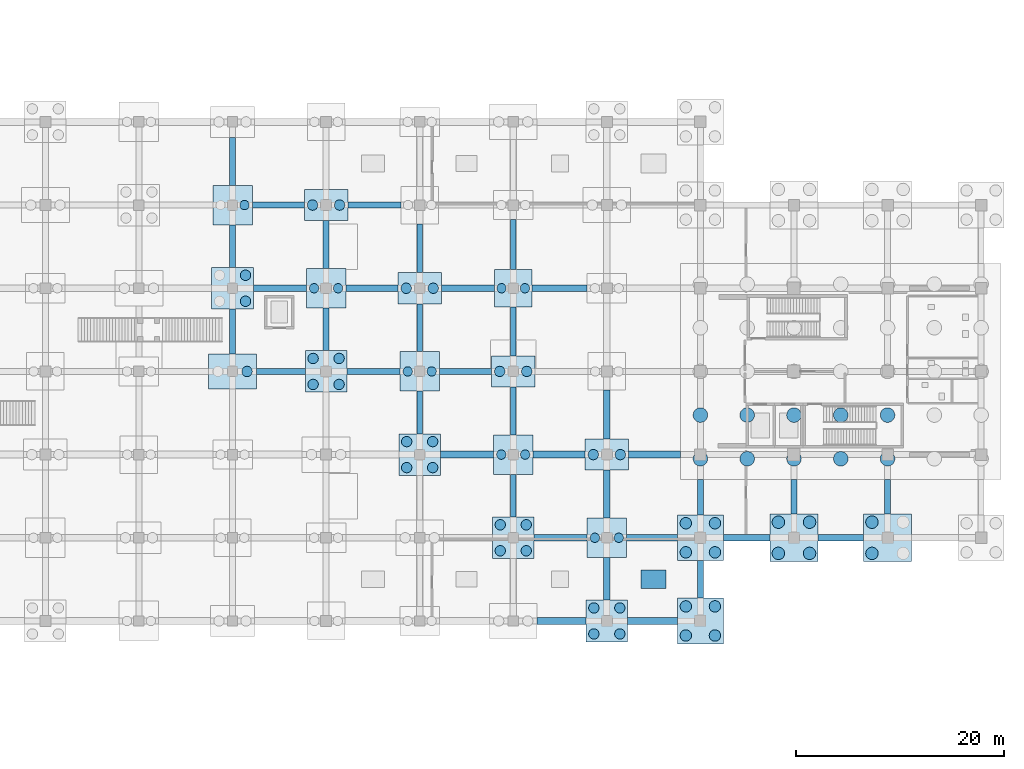
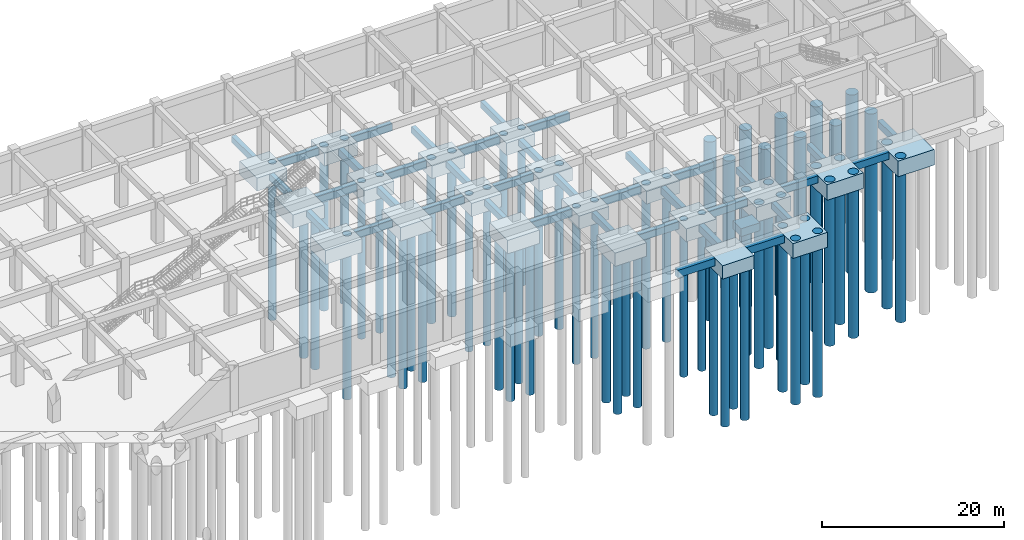
# One storey, part 4 of 18: 62 piles, 58 footings.
"""IFC4 building model written with IfcOpenShell, lengths in metres."""

import ifcopenshell
import ifcopenshell.guid

model = None  # the IFC model being written
_history = None  # IfcOwnerHistory: only IFC2X3 demands one
_inside = {}  # id of a spatial element -> (the spatial element, [elements in it])
_under = {}  # id of a project, library or spatial element -> (it, [spatial elements below it])
_declared = {}  # id of a project -> (the project, [libraries it declares])
_typed = {}  # id of a type object -> (the type object, [elements of that type])
_made_of = {}  # id of a material, layer set ... -> (it, [elements and type objects made of it])


def new_model(schema):
    """Start an empty IFC model of exactly this schema.

    Asked for "IFC4X3", IfcOpenShell would pick the latest addendum, in which some entities
    have other attributes; the version numbers below select the first issue.
    IFC2X3 requires an IfcOwnerHistory on every rooted entity: one is made here for all.
    """
    global model, _history
    if schema == "IFC4X3":
        model = ifcopenshell.file(schema_version=(4, 3, 0, 0))
    else:
        model = ifcopenshell.file(schema=schema)
    _inside.clear()
    _under.clear()
    _declared.clear()
    _typed.clear()
    _made_of.clear()
    _history = None
    if model.schema == "IFC2X3":
        org = make("IfcOrganization", Name="unknown")
        user = make(
            "IfcPersonAndOrganization",
            ThePerson=make("IfcPerson", FamilyName="unknown"),
            TheOrganization=org,
        )
        app = make(
            "IfcApplication",
            ApplicationDeveloper=org,
            Version="unknown",
            ApplicationFullName="unknown",
            ApplicationIdentifier="unknown",
        )
        _history = make(
            "IfcOwnerHistory",
            OwningUser=user,
            OwningApplication=app,
            ChangeAction="ADDED",
            CreationDate=0,
        )
    return model


def make(cls, **values):
    """One entity of the class cls with the attributes given. An attribute that is None is left unset."""
    return model.create_entity(
        cls, **{name: value for name, value in values.items() if value is not None}
    )


def rooted(cls, **values):
    """An entity with a GlobalId (a new one), such as an element, a storey or a relation."""
    return make(cls, GlobalId=ifcopenshell.guid.new(), OwnerHistory=_history, **values)


def si_unit(unit_type, name, prefix=None):
    """IfcSIUnit, for example si_unit("LENGTHUNIT", "METRE", prefix="MILLI")."""
    return make("IfcSIUnit", UnitType=unit_type, Prefix=prefix, Name=name)


def derived_unit(unit_type, elements):
    """IfcDerivedUnit: a product of units, each with its exponent."""
    return make(
        "IfcDerivedUnit",
        Elements=[
            make("IfcDerivedUnitElement", Unit=unit, Exponent=power)
            for unit, power in elements
        ],
        UnitType=unit_type,
    )


def assignment(units):
    """IfcUnitAssignment: the units of a project."""
    return None if units is None else make("IfcUnitAssignment", Units=units)


def point(xyz):
    """IfcCartesianPoint."""
    return None if xyz is None else make("IfcCartesianPoint", Coordinates=xyz)


def direction(xyz):
    """IfcDirection."""
    return None if xyz is None else make("IfcDirection", DirectionRatios=xyz)


def frame(location, z_axis=None, x_axis=None):
    """IfcAxis2Placement3D, a coordinate frame: its origin and axes. An axis left out is left unset."""
    return make(
        "IfcAxis2Placement3D",
        Location=point(location),
        Axis=direction(z_axis),
        RefDirection=direction(x_axis),
    )


def frame_2d(location, x_axis=None):
    """IfcAxis2Placement2D, a coordinate frame in the plane: its origin and x axis."""
    return make(
        "IfcAxis2Placement2D", Location=point(location), RefDirection=direction(x_axis)
    )


def origin():
    """The frame at (0, 0, 0) with its axes left unset."""
    return frame((0.0, 0.0, 0.0))


def origin_2d():
    """The frame at (0, 0) in the plane with its x axis left unset."""
    return frame_2d((0.0, 0.0))


def place(relative_to, where):
    """IfcLocalPlacement: puts the frame where relative to a parent placement (None: the world)."""
    return make(
        "IfcLocalPlacement", PlacementRelTo=relative_to, RelativePlacement=where
    )


def context(
    kind, dimensions, precision=None, world=None, true_north=None, identifier=None
):
    """IfcGeometricRepresentationContext, for example the 3D "Model" context."""
    return make(
        "IfcGeometricRepresentationContext",
        ContextIdentifier=identifier,
        ContextType=kind,
        CoordinateSpaceDimension=dimensions,
        Precision=precision,
        WorldCoordinateSystem=world,
        TrueNorth=true_north,
    )


def subcontext(parent, identifier, kind, view, scale=None):
    """IfcGeometricRepresentationSubContext, for example "Body" below "Model"."""
    return make(
        "IfcGeometricRepresentationSubContext",
        ContextIdentifier=identifier,
        ContextType=kind,
        ParentContext=parent,
        TargetScale=scale,
        TargetView=view,
    )


def project(units=None, contexts=None):
    """IfcProject with its units and contexts."""
    return rooted(
        "IfcProject",
        Name="project",
        RepresentationContexts=contexts,
        UnitsInContext=assignment(units),
    )


def spatial(cls, under=None, at=None, **own):
    """A site, building, storey or space (cls), placed at a placement, below another one or the project."""
    s = rooted(cls, ObjectPlacement=at, **own)
    if under is not None:
        _under.setdefault(under.id(), (under, []))[1].append(s)
    return s


def profile(cls, at=None, kind="AREA", **sizes):
    """A parametric profile (cls). Its sizes go by their IFC names, for example OverallWidth=200.0."""
    return make(cls, ProfileType=kind, Position=at, **sizes)


def rectangle(**sizes):
    """IfcRectangleProfileDef."""
    return profile("IfcRectangleProfileDef", **sizes)


def circle(**sizes):
    """IfcCircleProfileDef."""
    return profile("IfcCircleProfileDef", **sizes)


def extrude(swept, where, along, depth):
    """IfcExtrudedAreaSolid: the profile swept, set in the frame where, extruded along a direction by depth."""
    return make(
        "IfcExtrudedAreaSolid",
        SweptArea=swept,
        Position=where,
        ExtrudedDirection=direction(along),
        Depth=depth,
    )


def shape(context_of_items, identifier, shape_type, items):
    """IfcShapeRepresentation: the items that make up one representation, for example the "Body"."""
    return make(
        "IfcShapeRepresentation",
        ContextOfItems=context_of_items,
        RepresentationIdentifier=identifier,
        RepresentationType=shape_type,
        Items=items,
    )


def material(Name=None, Category=None):
    """IfcMaterial."""
    return make("IfcMaterial", Name=Name, Category=Category)


def material_profile(
    of_material, cross_section, Name=None, Category=None, Priority=None
):
    """IfcMaterialProfile: a cross section and its material."""
    return make(
        "IfcMaterialProfile",
        Name=Name,
        Material=of_material,
        Profile=cross_section,
        Priority=Priority,
        Category=Category,
    )


def profile_set(profiles, Name=None, composite=None):
    """IfcMaterialProfileSet."""
    return make(
        "IfcMaterialProfileSet",
        Name=Name,
        MaterialProfiles=profiles,
        CompositeProfile=composite,
    )


def made_of(thing, what):
    """Note that an element or type object is made of a material, layer set ...; save() writes the relation."""
    if what is not None:
        _made_of.setdefault(what.id(), (what, []))[1].append(thing)
    return thing


def type_object(cls, material=None, **own):
    """A type object (cls), such as IfcWallType, which elements share."""
    return made_of(rooted(cls, **own), material)


def element(
    cls,
    number,
    at=None,
    inside=None,
    cuts=None,
    type_object=None,
    material=None,
    context=None,
    identifier="Body",
    shape_type=None,
    held_by="IfcProductDefinitionShape",
    body=None,
    shapes=None,
    **own,
):
    """One element of the class cls, such as IfcWall. Its Tag is "e" and its number.

    at: its placement. inside: the storey or other place that contains it. cuts: it is an
    opening in that element (IfcRelVoidsElement). A single representation is given by context,
    identifier, shape_type and body (its items); several are given by shapes. held_by: the class
    of the entity that holds the representations. save() writes the other relations.
    """
    e = rooted(cls, Tag="e%d" % number, ObjectPlacement=at, **own)
    if body is not None:
        shapes = [shape(context, identifier, shape_type, body)]
    if shapes is not None:
        e.Representation = make(held_by, Representations=shapes)
    if inside is not None:
        _inside.setdefault(inside.id(), (inside, []))[1].append(e)
    if cuts is not None:
        rooted(
            "IfcRelVoidsElement", RelatingBuildingElement=cuts, RelatedOpeningElement=e
        )
    if type_object is not None:
        _typed.setdefault(type_object.id(), (type_object, []))[1].append(e)
    return made_of(e, material)


def aggregate(whole, parts):
    """IfcRelAggregates: a whole, such as a stair, and the parts it consists of."""
    return rooted("IfcRelAggregates", RelatingObject=whole, RelatedObjects=parts)


def save(model, path):
    """Write the relations noted so far, then the file.

    IfcRelAggregates (storeys below a building ...), IfcRelContainedInSpatialStructure (elements
    in a storey), IfcRelDefinesByType, IfcRelAssociatesMaterial and IfcRelDeclares: one each for
    every whole, place, type object, material and project.
    """
    for whole, parts in _under.values():
        aggregate(whole, parts)
    for where, things in _inside.values():
        rooted(
            "IfcRelContainedInSpatialStructure",
            RelatedElements=things,
            RelatingStructure=where,
        )
    for kind, things in _typed.values():
        rooted("IfcRelDefinesByType", RelatedObjects=things, RelatingType=kind)
    for what, things in _made_of.values():
        rooted("IfcRelAssociatesMaterial", RelatedObjects=things, RelatingMaterial=what)
    for by, libraries in _declared.values():
        rooted("IfcRelDeclares", RelatingContext=by, RelatedDefinitions=libraries)
    model.write(path)


model = new_model("IFC4")

# Units and contexts
model_context = context("Model", 3, precision=1e-05, world=origin(), true_north=direction((0.0, 1.0)))
body_context = subcontext(model_context, "Body", "Model", "MODEL_VIEW")
ifc_project = project(units=[si_unit("LENGTHUNIT", "METRE"), si_unit("AREAUNIT", "SQUARE_METRE"), si_unit("VOLUMEUNIT", "CUBIC_METRE"), si_unit("PLANEANGLEUNIT", "RADIAN"), si_unit("MASSUNIT", "GRAM", prefix="KILO"), derived_unit("THERMALTRANSMITTANCEUNIT", [(si_unit("MASSUNIT", "GRAM", prefix="KILO"), 1), (si_unit("TIMEUNIT", "SECOND"), -3), (si_unit("THERMODYNAMICTEMPERATUREUNIT", "KELVIN"), -1)])], contexts=[model_context])

# Site, building, storey
site_placement = place(None, origin())
site = spatial("IfcSite", under=ifc_project, at=site_placement, CompositionType="ELEMENT")
building_placement = place(site_placement, origin())
building = spatial("IfcBuilding", under=site, at=building_placement, Name="Zhenchuan Archway Interchange", CompositionType="ELEMENT")
storey_placement = place(building_placement, frame((0.0, 0.0, -12.0)))
storey = spatial("IfcBuildingStorey", under=building, at=storey_placement, Name="B2", CompositionType="ELEMENT", Elevation=-12.0)

# Footings
ifc_material_1 = material(Name="Concrete C40", Category="concrete")
ifc_material_profile_1 = material_profile(ifc_material_1, rectangle(XDim=0.64990234375, YDim=1.0, at=origin_2d()), Name="RC 650x1000")
ifc_profile_set_1 = profile_set([ifc_material_profile_1], Name="Concrete C40")
footing_type_1 = type_object("IfcFootingType", Name="FB_GROUND_1", PredefinedType="FOOTING_BEAM", material=ifc_profile_set_1)
footing_1_placement = place(storey_placement, frame((128.300048828125, 32.0, -1.5), z_axis=(1.0, 0.0, 0.0), x_axis=(0.0, 1.0, 0.0)))
element("IfcFooting", 1, at=footing_1_placement, inside=storey, type_object=footing_type_1, Name="Ground tie beam E:15-16 (B2)", PredefinedType="FOOTING_BEAM", context=body_context, shape_type="SweptSolid", body=[
    extrude(rectangle(XDim=0.64990234375, YDim=1.0, at=origin_2d()), origin(), (0.0, 0.0, 1.0), 4.699951171875),
])
footing_2_placement = place(storey_placement, frame((137.0, 32.0, -1.5), z_axis=(1.0, 0.0, 0.0), x_axis=(0.0, 1.0, 0.0)))
element("IfcFooting", 2, at=footing_2_placement, inside=storey, type_object=footing_type_1, Name="Ground tie beam E:16-17 (B2)", PredefinedType="FOOTING_BEAM", context=body_context, shape_type="SweptSolid", body=[
    extrude(rectangle(XDim=0.64990234375, YDim=1.0, at=origin_2d()), origin(), (0.0, 0.0, 1.0), 4.800048828125),
])
footing_3_placement = place(storey_placement, frame((119.0, 48.0, -1.5), z_axis=(1.0, 0.0, 0.0), x_axis=(0.0, 1.0, 0.0)))
element("IfcFooting", 3, at=footing_3_placement, inside=storey, type_object=footing_type_1, Name="Ground tie beam G:14-15 (B2)", PredefinedType="FOOTING_BEAM", context=body_context, shape_type="SweptSolid", body=[
    extrude(rectangle(XDim=0.64990234375, YDim=1.0, at=origin_2d()), origin(), (0.0, 0.0, 1.0), 5.10009765625),
])
for number, where, z_axis, x_axis, name in (
    (4, (127.89990234375, 48.0, -1.5), (1.0, 0.0, 0.0), (0.0, 1.0, 0.0), "Ground tie beam G:15-16 (B2)"),
    (5, (137.10009765625, 48.0, -1.5), (1.0, 0.0, 0.0), (0.0, 1.0, 0.0), "Ground tie beam G:16-17 (B2)"),
):
    element("IfcFooting", number, at=place(storey_placement, frame(where, z_axis=z_axis, x_axis=x_axis)), inside=storey, type_object=footing_type_1, Name=name, PredefinedType="FOOTING_BEAM", context=body_context, shape_type="SweptSolid", body=[
        extrude(rectangle(XDim=0.64990234375, YDim=1.0, at=origin_2d()), origin(), (0.0, 0.0, 1.0), 5.0),
    ])
footing_4_placement = place(storey_placement, frame((101.0, 64.0, -1.5), z_axis=(1.0, 0.0, 0.0), x_axis=(0.0, 1.0, 0.0)))
element("IfcFooting", 6, at=footing_4_placement, inside=storey, type_object=footing_type_1, Name="Ground tie beam J:12-13 (B2)", PredefinedType="FOOTING_BEAM", context=body_context, shape_type="SweptSolid", body=[
    extrude(rectangle(XDim=0.64990234375, YDim=1.0, at=origin_2d()), origin(), (0.0, 0.0, 1.0), 5.10009765625),
])
footing_5_placement = place(storey_placement, frame((109.89990234375, 64.0, -1.5), z_axis=(1.0, 0.0, 0.0), x_axis=(0.0, 1.0, 0.0)))
element("IfcFooting", 7, at=footing_5_placement, inside=storey, type_object=footing_type_1, Name="Ground tie beam J:13-14 (B2)", PredefinedType="FOOTING_BEAM", context=body_context, shape_type="SweptSolid", body=[
    extrude(rectangle(XDim=0.64990234375, YDim=1.0, at=origin_2d()), origin(), (0.0, 0.0, 1.0), 5.0),
])
footing_6_placement = place(storey_placement, frame((119.10009765625, 64.0, -1.5), z_axis=(1.0, 0.0, 0.0), x_axis=(0.0, 1.0, 0.0)))
element("IfcFooting", 8, at=footing_6_placement, inside=storey, type_object=footing_type_1, Name="Ground tie beam J:14-15 (B2)", PredefinedType="FOOTING_BEAM", context=body_context, shape_type="SweptSolid", body=[
    extrude(rectangle(XDim=0.64990234375, YDim=1.0, at=origin_2d()), origin(), (0.0, 0.0, 1.0), 5.099853515625),
])
footing_7_placement = place(storey_placement, frame((127.800048828125, 64.0, -1.5), z_axis=(1.0, 0.0, 0.0), x_axis=(0.0, 1.0, 0.0)))
element("IfcFooting", 9, at=footing_7_placement, inside=storey, type_object=footing_type_1, Name="Ground tie beam J:15-16 (B2)", PredefinedType="FOOTING_BEAM", context=body_context, shape_type="SweptSolid", body=[
    extrude(rectangle(XDim=0.64990234375, YDim=1.0, at=origin_2d()), origin(), (0.0, 0.0, 1.0), 5.300048828125),
])
ifc_material_profile_2 = material_profile(ifc_material_1, rectangle(XDim=0.60009765625, YDim=0.949951171875, at=origin_2d()), Name="RC 600x950")
ifc_profile_set_2 = profile_set([ifc_material_profile_2], Name="Concrete C40")
footing_type_2 = type_object("IfcFootingType", Name="FB_GROUND_2", PredefinedType="FOOTING_BEAM", material=ifc_profile_set_2)
footing_8_placement = place(storey_placement, frame((128.0, 40.0, -1.47509765625), z_axis=(1.0, 0.0, 0.0), x_axis=(0.0, 1.0, 0.0)))
element("IfcFooting", 10, at=footing_8_placement, inside=storey, type_object=footing_type_2, Name="Ground tie beam F:15-16 (B2)", PredefinedType="FOOTING_BEAM", context=body_context, shape_type="SweptSolid", body=[
    extrude(rectangle(XDim=0.60009765625, YDim=0.949951171875, at=origin_2d()), origin(), (0.0, 0.0, 1.0), 5.10009765625),
])
footing_9_placement = place(storey_placement, frame((136.89990234375, 40.0, -1.47509765625), z_axis=(1.0, 0.0, 0.0), x_axis=(0.0, 1.0, 0.0)))
element("IfcFooting", 11, at=footing_9_placement, inside=storey, type_object=footing_type_2, Name="Ground tie beam F:16-17 (B2)", PredefinedType="FOOTING_BEAM", context=body_context, shape_type="SweptSolid", body=[
    extrude(rectangle(XDim=0.60009765625, YDim=0.949951171875, at=origin_2d()), origin(), (0.0, 0.0, 1.0), 4.900146484375),
])
footing_10_placement = place(storey_placement, frame((146.199951171875, 40.0, -1.47509765625), z_axis=(1.0, 0.0, 0.0), x_axis=(0.0, 1.0, 0.0)))
element("IfcFooting", 12, at=footing_10_placement, inside=storey, type_object=footing_type_2, Name="Ground tie beam F:17-18 (B2)", PredefinedType="FOOTING_BEAM", context=body_context, shape_type="SweptSolid", body=[
    extrude(rectangle(XDim=0.60009765625, YDim=0.949951171875, at=origin_2d()), origin(), (0.0, 0.0, 1.0), 4.5),
])
footing_11_placement = place(storey_placement, frame((155.300048828125, 40.0, -1.47509765625), z_axis=(1.0, 0.0, 0.0), x_axis=(0.0, 1.0, 0.0)))
element("IfcFooting", 13, at=footing_11_placement, inside=storey, type_object=footing_type_2, Name="Ground tie beam F:18-19 (B2)", PredefinedType="FOOTING_BEAM", context=body_context, shape_type="SweptSolid", body=[
    extrude(rectangle(XDim=0.60009765625, YDim=0.949951171875, at=origin_2d()), origin(), (0.0, 0.0, 1.0), 4.39990234375),
])
footing_12_placement = place(storey_placement, frame((101.300048828125, 56.0, -1.47509765625), z_axis=(1.0, 0.0, 0.0), x_axis=(0.0, 1.0, 0.0)))
element("IfcFooting", 14, at=footing_12_placement, inside=storey, type_object=footing_type_2, Name="Ground tie beam H:12-13 (B2)", PredefinedType="FOOTING_BEAM", context=body_context, shape_type="SweptSolid", body=[
    extrude(rectangle(XDim=0.60009765625, YDim=0.949951171875, at=origin_2d()), origin(), (0.0, 0.0, 1.0), 4.699951171875),
])
footing_13_placement = place(storey_placement, frame((110.0, 56.0, -1.47509765625), z_axis=(1.0, 0.0, 0.0), x_axis=(0.0, 1.0, 0.0)))
element("IfcFooting", 15, at=footing_13_placement, inside=storey, type_object=footing_type_2, Name="Ground tie beam H:13-14 (B2)", PredefinedType="FOOTING_BEAM", context=body_context, shape_type="SweptSolid", body=[
    extrude(rectangle(XDim=0.60009765625, YDim=0.949951171875, at=origin_2d()), origin(), (0.0, 0.0, 1.0), 5.10009765625),
])
for number, where, z_axis, x_axis, name in (
    (16, (118.89990234375, 56.0, -1.47509765625), (1.0, 0.0, 0.0), (0.0, 1.0, 0.0), "Ground tie beam H:14-15 (B2)"),
    (17, (100.89990234375, 72.0, -1.47509765625), (1.0, 0.0, 0.0), (0.0, 1.0, 0.0), "Ground tie beam K:12-13 (B2)"),
):
    element("IfcFooting", number, at=place(storey_placement, frame(where, z_axis=z_axis, x_axis=x_axis)), inside=storey, type_object=footing_type_2, Name=name, PredefinedType="FOOTING_BEAM", context=body_context, shape_type="SweptSolid", body=[
        extrude(rectangle(XDim=0.60009765625, YDim=0.949951171875, at=origin_2d()), origin(), (0.0, 0.0, 1.0), 5.0),
    ])
footing_14_placement = place(storey_placement, frame((110.10009765625, 72.0, -1.47509765625), z_axis=(1.0, 0.0, 0.0), x_axis=(0.0, 1.0, 0.0)))
element("IfcFooting", 18, at=footing_14_placement, inside=storey, type_object=footing_type_2, Name="Ground tie beam K:13-14 (B2)", PredefinedType="FOOTING_BEAM", context=body_context, shape_type="SweptSolid", body=[
    extrude(rectangle(XDim=0.60009765625, YDim=0.949951171875, at=origin_2d()), origin(), (0.0, 0.0, 1.0), 5.099853515625),
])
footing_15_placement = place(storey_placement, frame((108.0, 58.0, -1.47509765625), z_axis=(0.0, 1.0, 0.0), x_axis=(-1.0, 0.0, 0.0)))
element("IfcFooting", 19, at=footing_15_placement, inside=storey, type_object=footing_type_2, Name="Ground tie beam 13:H-J (B2)", PredefinedType="FOOTING_BEAM", context=body_context, shape_type="SweptSolid", body=[
    extrude(rectangle(XDim=0.60009765625, YDim=0.949951171875, at=origin_2d()), origin(), (0.0, 0.0, 1.0), 4.10009765625),
])
footing_16_placement = place(storey_placement, frame((108.0, 65.89990234375, -1.47509765625), z_axis=(0.0, 1.0, 0.0), x_axis=(-1.0, 0.0, 0.0)))
element("IfcFooting", 20, at=footing_16_placement, inside=storey, type_object=footing_type_2, Name="Ground tie beam 13:J-K (B2)", PredefinedType="FOOTING_BEAM", context=body_context, shape_type="SweptSolid", body=[
    extrude(rectangle(XDim=0.60009765625, YDim=0.949951171875, at=origin_2d()), origin(), (0.0, 0.0, 1.0), 4.60009765625),
])
footing_17_placement = place(storey_placement, frame((135.0, 34.0, -1.47509765625), z_axis=(0.0, 1.0, 0.0), x_axis=(-1.0, 0.0, 0.0)))
element("IfcFooting", 21, at=footing_17_placement, inside=storey, type_object=footing_type_2, Name="Ground tie beam 16:E-F (B2)", PredefinedType="FOOTING_BEAM", context=body_context, shape_type="SweptSolid", body=[
    extrude(rectangle(XDim=0.60009765625, YDim=0.949951171875, at=origin_2d()), origin(), (0.0, 0.0, 1.0), 4.10009765625),
])
footing_18_placement = place(storey_placement, frame((135.0, 41.89990234375, -1.47509765625), z_axis=(0.0, 1.0, 0.0), x_axis=(-1.0, 0.0, 0.0)))
element("IfcFooting", 22, at=footing_18_placement, inside=storey, type_object=footing_type_2, Name="Ground tie beam 16:F-G (B2)", PredefinedType="FOOTING_BEAM", context=body_context, shape_type="SweptSolid", body=[
    extrude(rectangle(XDim=0.60009765625, YDim=0.949951171875, at=origin_2d()), origin(), (0.0, 0.0, 1.0), 4.60009765625),
])
footing_19_placement = place(storey_placement, frame((135.0, 49.5, -1.47509765625), z_axis=(0.0, 1.0, 0.0), x_axis=(-1.0, 0.0, 0.0)))
element("IfcFooting", 23, at=footing_19_placement, inside=storey, type_object=footing_type_2, Name="Ground tie beam 16:G-H (B2)", PredefinedType="FOOTING_BEAM", context=body_context, shape_type="SweptSolid", body=[
    extrude(rectangle(XDim=0.60009765625, YDim=0.949951171875, at=origin_2d()), origin(), (0.0, 0.0, 1.0), 4.699951171875),
])
footing_20_placement = place(storey_placement, frame((162.0, 42.300048828125, -1.47509765625), z_axis=(0.0, 1.0, 0.0), x_axis=(-1.0, 0.0, 0.0)))
element("IfcFooting", 24, at=footing_20_placement, inside=storey, type_object=footing_type_2, Name="Ground tie beam 19:F-G (B2)", PredefinedType="FOOTING_BEAM", context=body_context, shape_type="SweptSolid", body=[
    extrude(rectangle(XDim=0.60009765625, YDim=0.949951171875, at=origin_2d()), origin(), (0.0, 0.0, 1.0), 3.300048828125),
])
ifc_material_profile_3 = material_profile(ifc_material_1, rectangle(XDim=0.550048828125, YDim=0.85009765625, at=origin_2d()), Name="RC 550x850")
ifc_profile_set_3 = profile_set([ifc_material_profile_3], Name="Concrete C40")
footing_type_3 = type_object("IfcFootingType", Name="FB_GROUND_3", PredefinedType="FOOTING_BEAM", material=ifc_profile_set_3)
footing_21_placement = place(storey_placement, frame((99.0, 57.699951171875, -1.425048828125), z_axis=(0.0, 1.0, 0.0), x_axis=(-1.0, 0.0, 0.0)))
element("IfcFooting", 25, at=footing_21_placement, inside=storey, type_object=footing_type_3, Name="Ground tie beam 12:H-J (B2)", PredefinedType="FOOTING_BEAM", context=body_context, shape_type="SweptSolid", body=[
    extrude(rectangle(XDim=0.550048828125, YDim=0.85009765625, at=origin_2d()), origin(), (0.0, 0.0, 1.0), 4.300048828125),
])
footing_22_placement = place(storey_placement, frame((99.0, 66.0, -1.425048828125), z_axis=(0.0, 1.0, 0.0), x_axis=(-1.0, 0.0, 0.0)))
element("IfcFooting", 26, at=footing_22_placement, inside=storey, type_object=footing_type_3, Name="Ground tie beam 12:J-K (B2)", PredefinedType="FOOTING_BEAM", context=body_context, shape_type="SweptSolid", body=[
    extrude(rectangle(XDim=0.550048828125, YDim=0.85009765625, at=origin_2d()), origin(), (0.0, 0.0, 1.0), 4.10009765625),
])
footing_23_placement = place(storey_placement, frame((99.0, 73.89990234375, -1.425048828125), z_axis=(0.0, 1.0, 0.0), x_axis=(-1.0, 0.0, 0.0)))
element("IfcFooting", 27, at=footing_23_placement, inside=storey, type_object=footing_type_3, Name="Ground tie beam 12:K-L (B2)", PredefinedType="FOOTING_BEAM", context=body_context, shape_type="SweptSolid", body=[
    extrude(rectangle(XDim=0.550048828125, YDim=0.85009765625, at=origin_2d()), origin(), (0.0, 0.0, 1.0), 4.60009765625),
])
footing_24_placement = place(storey_placement, frame((117.0, 50.0, -1.425048828125), z_axis=(0.0, 1.0, 0.0), x_axis=(-1.0, 0.0, 0.0)))
element("IfcFooting", 28, at=footing_24_placement, inside=storey, type_object=footing_type_3, Name="Ground tie beam 14:G-H (B2)", PredefinedType="FOOTING_BEAM", context=body_context, shape_type="SweptSolid", body=[
    extrude(rectangle(XDim=0.550048828125, YDim=0.85009765625, at=origin_2d()), origin(), (0.0, 0.0, 1.0), 4.10009765625),
])
footing_25_placement = place(storey_placement, frame((117.0, 57.89990234375, -1.425048828125), z_axis=(0.0, 1.0, 0.0), x_axis=(-1.0, 0.0, 0.0)))
element("IfcFooting", 29, at=footing_25_placement, inside=storey, type_object=footing_type_3, Name="Ground tie beam 14:H-J (B2)", PredefinedType="FOOTING_BEAM", context=body_context, shape_type="SweptSolid", body=[
    extrude(rectangle(XDim=0.550048828125, YDim=0.85009765625, at=origin_2d()), origin(), (0.0, 0.0, 1.0), 4.60009765625),
])
footing_26_placement = place(storey_placement, frame((117.0, 65.5, -1.425048828125), z_axis=(0.0, 1.0, 0.0), x_axis=(-1.0, 0.0, 0.0)))
element("IfcFooting", 30, at=footing_26_placement, inside=storey, type_object=footing_type_3, Name="Ground tie beam 14:J-K (B2)", PredefinedType="FOOTING_BEAM", context=body_context, shape_type="SweptSolid", body=[
    extrude(rectangle(XDim=0.550048828125, YDim=0.85009765625, at=origin_2d()), origin(), (0.0, 0.0, 1.0), 4.699951171875),
])
footing_27_placement = place(storey_placement, frame((126.0, 42.0, -1.425048828125), z_axis=(0.0, 1.0, 0.0), x_axis=(-1.0, 0.0, 0.0)))
element("IfcFooting", 31, at=footing_27_placement, inside=storey, type_object=footing_type_3, Name="Ground tie beam 15:F-G (B2)", PredefinedType="FOOTING_BEAM", context=body_context, shape_type="SweptSolid", body=[
    extrude(rectangle(XDim=0.550048828125, YDim=0.85009765625, at=origin_2d()), origin(), (0.0, 0.0, 1.0), 4.10009765625),
])
footing_28_placement = place(storey_placement, frame((126.0, 49.89990234375, -1.425048828125), z_axis=(0.0, 1.0, 0.0), x_axis=(-1.0, 0.0, 0.0)))
element("IfcFooting", 32, at=footing_28_placement, inside=storey, type_object=footing_type_3, Name="Ground tie beam 15:G-H (B2)", PredefinedType="FOOTING_BEAM", context=body_context, shape_type="SweptSolid", body=[
    extrude(rectangle(XDim=0.550048828125, YDim=0.85009765625, at=origin_2d()), origin(), (0.0, 0.0, 1.0), 4.60009765625),
])
footing_29_placement = place(storey_placement, frame((126.0, 57.5, -1.425048828125), z_axis=(0.0, 1.0, 0.0), x_axis=(-1.0, 0.0, 0.0)))
element("IfcFooting", 33, at=footing_29_placement, inside=storey, type_object=footing_type_3, Name="Ground tie beam 15:H-J (B2)", PredefinedType="FOOTING_BEAM", context=body_context, shape_type="SweptSolid", body=[
    extrude(rectangle(XDim=0.550048828125, YDim=0.85009765625, at=origin_2d()), origin(), (0.0, 0.0, 1.0), 4.699951171875),
])
footing_30_placement = place(storey_placement, frame((126.0, 65.800048828125, -1.425048828125), z_axis=(0.0, 1.0, 0.0), x_axis=(-1.0, 0.0, 0.0)))
element("IfcFooting", 34, at=footing_30_placement, inside=storey, type_object=footing_type_3, Name="Ground tie beam 15:J-K (B2)", PredefinedType="FOOTING_BEAM", context=body_context, shape_type="SweptSolid", body=[
    extrude(rectangle(XDim=0.550048828125, YDim=0.85009765625, at=origin_2d()), origin(), (0.0, 0.0, 1.0), 4.800048828125),
])
footing_31_placement = place(storey_placement, frame((144.0, 34.199951171875, -1.425048828125), z_axis=(0.0, 1.0, 0.0), x_axis=(-1.0, 0.0, 0.0)))
element("IfcFooting", 35, at=footing_31_placement, inside=storey, type_object=footing_type_3, Name="Ground tie beam 17:E-F (B2)", PredefinedType="FOOTING_BEAM", context=body_context, shape_type="SweptSolid", body=[
    extrude(rectangle(XDim=0.550048828125, YDim=0.85009765625, at=origin_2d()), origin(), (0.0, 0.0, 1.0), 3.60009765625),
])
footing_32_placement = place(storey_placement, frame((144.0, 42.199951171875, -1.425048828125), z_axis=(0.0, 1.0, 0.0), x_axis=(-1.0, 0.0, 0.0)))
element("IfcFooting", 36, at=footing_32_placement, inside=storey, type_object=footing_type_3, Name="Ground tie beam 17:F-G (B2)", PredefinedType="FOOTING_BEAM", context=body_context, shape_type="SweptSolid", body=[
    extrude(rectangle(XDim=0.550048828125, YDim=0.85009765625, at=origin_2d()), origin(), (0.0, 0.0, 1.0), 3.400146484375),
])
footing_33_placement = place(storey_placement, frame((153.0, 42.300048828125, -1.425048828125), z_axis=(0.0, 1.0, 0.0), x_axis=(-1.0, 0.0, 0.0)))
element("IfcFooting", 37, at=footing_33_placement, inside=storey, type_object=footing_type_3, Name="Ground tie beam 18:F-G (B2)", PredefinedType="FOOTING_BEAM", context=body_context, shape_type="SweptSolid", body=[
    extrude(rectangle(XDim=0.550048828125, YDim=0.85009765625, at=origin_2d()), origin(), (0.0, 0.0, 1.0), 3.300048828125),
])
footing_type_4 = type_object("IfcFootingType", Name="PAD_EQUIP_6", PredefinedType="PAD_FOOTING", material=ifc_material_1)
footing_34_placement = place(storey_placement, frame((139.5, 36.0, -2.0498046875), z_axis=(0.0, 0.0, 1.0), x_axis=(1.0, 0.0, 0.0)))
element("IfcFooting", 38, at=footing_34_placement, inside=storey, type_object=footing_type_4, Name="Station plant equipment pad footing PF-12", PredefinedType="PAD_FOOTING", context=body_context, shape_type="SweptSolid", body=[
    extrude(rectangle(XDim=2.39990234375, YDim=1.800048828125, at=origin_2d()), origin(), (0.0, 0.0, 1.0), 1.050048828125),
])
footing_type_5 = type_object("IfcFootingType", Name="PC_B_38x38", PredefinedType="PILE_CAP", material=ifc_material_1)
for number, where, z_axis, x_axis, name in (
    (39, (99.0, 72.0, -2.75), (0.0, 0.0, 1.0), (1.0, 0.0, 0.0), "Pile cap PC-07 at 12/K (B2)"),
    (40, (108.0, 64.0, -2.75), (0.0, 0.0, 1.0), (1.0, 0.0, 0.0), "Pile cap PC-07 at 13/J (B2)"),
    (41, (117.0, 56.0, -2.75), (0.0, 0.0, 1.0), (1.0, 0.0, 0.0), "Pile cap PC-07 at 14/H (B2)"),
    (42, (126.0, 48.0, -2.75), (0.0, 0.0, 1.0), (1.0, 0.0, 0.0), "Pile cap PC-07 at 15/G (B2)"),
    (43, (135.0, 40.0, -2.75), (0.0, 0.0, 1.0), (1.0, 0.0, 0.0), "Pile cap PC-07 at 16/F (B2)"),
):
    element("IfcFooting", number, at=place(storey_placement, frame(where, z_axis=z_axis, x_axis=x_axis)), inside=storey, type_object=footing_type_5, Name=name, PredefinedType="PILE_CAP", context=body_context, shape_type="SweptSolid", body=[
        extrude(rectangle(XDim=3.800048828125, YDim=3.800048828125, at=origin_2d()), origin(), (0.0, 0.0, 1.0), 1.75),
    ])
footing_type_6 = type_object("IfcFootingType", Name="PC_B_42x30", PredefinedType="PILE_CAP", material=ifc_material_1)
for number, where, z_axis, x_axis, name in (
    (44, (108.0, 72.0, -2.7001953125), (0.0, 0.0, 1.0), (1.0, 0.0, 0.0), "Pile cap PC-08 at 13/K (B2)"),
    (45, (117.0, 64.0, -2.7001953125), (0.0, 0.0, 1.0), (1.0, 0.0, 0.0), "Pile cap PC-08 at 14/J (B2)"),
    (46, (126.0, 56.0, -2.7001953125), (0.0, 0.0, 1.0), (1.0, 0.0, 0.0), "Pile cap PC-08 at 15/H (B2)"),
    (47, (135.0, 48.0, -2.7001953125), (0.0, 0.0, 1.0), (1.0, 0.0, 0.0), "Pile cap PC-08 at 16/G (B2)"),
):
    element("IfcFooting", number, at=place(storey_placement, frame(where, z_axis=z_axis, x_axis=x_axis)), inside=storey, type_object=footing_type_6, Name=name, PredefinedType="PILE_CAP", context=body_context, shape_type="SweptSolid", body=[
        extrude(rectangle(XDim=4.199951171875, YDim=3.0, at=origin_2d()), origin(), (0.0, 0.0, 1.0), 1.699951171875),
    ])
footing_type_7 = type_object("IfcFootingType", Name="PC_C_46x34", PredefinedType="PILE_CAP", material=ifc_material_1)
footing_35_placement = place(storey_placement, frame((99.0, 56.0, -2.85009765625), z_axis=(0.0, 0.0, 1.0), x_axis=(1.0, 0.0, 0.0)))
element("IfcFooting", 48, at=footing_35_placement, inside=storey, type_object=footing_type_7, Name="Pile cap PC-05 at 12/H (B2)", PredefinedType="PILE_CAP", context=body_context, shape_type="SweptSolid", body=[
    extrude(rectangle(XDim=4.60009765625, YDim=3.39990234375, at=origin_2d()), origin(), (0.0, 0.0, 1.0), 1.85009765625),
])
footing_type_8 = type_object("IfcFootingType", Name="PC_M_36x36", PredefinedType="PILE_CAP", material=ifc_material_1)
footing_36_placement = place(storey_placement, frame((126.0, 64.0, -2.64990234375), z_axis=(0.0, 0.0, 1.0), x_axis=(1.0, 0.0, 0.0)))
element("IfcFooting", 49, at=footing_36_placement, inside=storey, type_object=footing_type_8, Name="Pile cap PC-09 at 15/J (B2)", PredefinedType="PILE_CAP", context=body_context, shape_type="SweptSolid", body=[
    extrude(rectangle(XDim=3.60009765625, YDim=3.60009765625, at=origin_2d()), origin(), (0.0, 0.0, 1.0), 1.64990234375),
])
footing_type_9 = type_object("IfcFootingType", Name="PC_R_40x40", PredefinedType="PILE_CAP", material=ifc_material_1)
for number, where, z_axis, x_axis, name in (
    (50, (99.0, 64.0, -2.7998046875), (0.0, 0.0, 1.0), (1.0, 0.0, 0.0), "Pile cap PC-06 at 12/J (B2)"),
    (51, (108.0, 56.0, -2.7998046875), (0.0, 0.0, 1.0), (1.0, 0.0, 0.0), "Pile cap PC-06 at 13/H (B2)"),
    (52, (117.0, 48.0, -2.7998046875), (0.0, 0.0, 1.0), (1.0, 0.0, 0.0), "Pile cap PC-06 at 14/G (B2)"),
    (53, (126.0, 40.0, -2.7998046875), (0.0, 0.0, 1.0), (1.0, 0.0, 0.0), "Pile cap PC-06 at 15/F (B2)"),
    (54, (135.0, 32.0, -2.7998046875), (0.0, 0.0, 1.0), (1.0, 0.0, 0.0), "Pile cap PC-06 at 16/E (B2)"),
):
    element("IfcFooting", number, at=place(storey_placement, frame(where, z_axis=z_axis, x_axis=x_axis)), inside=storey, type_object=footing_type_9, Name=name, PredefinedType="PILE_CAP", context=body_context, shape_type="SweptSolid", body=[
        extrude(rectangle(XDim=4.0, YDim=4.0, at=origin_2d()), origin(), (0.0, 0.0, 1.0), 1.800048828125),
    ])
footing_type_10 = type_object("IfcFootingType", Name="PC_T_44x44", PredefinedType="PILE_CAP", material=ifc_material_1)
for number, where, z_axis, x_axis, name in (
    (55, (144.0, 32.0, -3.0), (0.0, 0.0, 1.0), (1.0, 0.0, 0.0), "Pile cap PC-02 at 17/E (B2)"),
    (56, (144.0, 40.0, -3.0), (0.0, 0.0, 1.0), (1.0, 0.0, 0.0), "Pile cap PC-02 at 17/F (B2)"),
):
    element("IfcFooting", number, at=place(storey_placement, frame(where, z_axis=z_axis, x_axis=x_axis)), inside=storey, type_object=footing_type_10, Name=name, PredefinedType="PILE_CAP", context=body_context, shape_type="SweptSolid", body=[
        extrude(rectangle(XDim=4.39990234375, YDim=4.39990234375, at=origin_2d()), origin(), (0.0, 0.0, 1.0), 2.0),
    ])
footing_type_11 = type_object("IfcFootingType", Name="PC_T_46x46", PredefinedType="PILE_CAP", material=ifc_material_1)
for number, where, z_axis, x_axis, name in (
    (57, (153.0, 40.0, -3.10009765625), (0.0, 0.0, 1.0), (1.0, 0.0, 0.0), "Pile cap PC-01 at 18/F (B2)"),
    (58, (162.0, 40.0, -3.10009765625), (0.0, 0.0, 1.0), (1.0, 0.0, 0.0), "Pile cap PC-01 at 19/F (B2)"),
):
    element("IfcFooting", number, at=place(storey_placement, frame(where, z_axis=z_axis, x_axis=x_axis)), inside=storey, type_object=footing_type_11, Name=name, PredefinedType="PILE_CAP", context=body_context, shape_type="SweptSolid", body=[
        extrude(rectangle(XDim=4.60009765625, YDim=4.60009765625, at=origin_2d()), origin(), (0.0, 0.0, 1.0), 2.10009765625),
    ])

# Piles
ifc_material_2 = material(Name="Concrete C35", Category="concrete")
ifc_material_profile_4 = material_profile(ifc_material_2, circle(Radius=0.5, at=origin_2d()), Name="BORED PILE 1000")
ifc_profile_set_4 = profile_set([ifc_material_profile_4], Name="Concrete C35")
pile_type_1 = type_object("IfcPileType", Name="PILE_D1000", PredefinedType="BORED", material=ifc_profile_set_4)
for number, where, z_axis, x_axis, name in (
    (59, (100.39990234375, 56.0, -1.0), (0.0, 0.0, -1.0), (1.0, 0.0, 0.0), "Bored pile at 12/H #2 (B2)"),
    (60, (100.25, 62.75, -1.0), (0.0, 0.0, -1.0), (1.0, 0.0, 0.0), "Bored pile at 12/J #2 (B2)"),
    (61, (100.25, 65.25, -1.0), (0.0, 0.0, -1.0), (1.0, 0.0, 0.0), "Bored pile at 12/J #4 (B2)"),
    (62, (106.75, 54.75, -1.0), (0.0, 0.0, -1.0), (1.0, 0.0, 0.0), "Bored pile at 13/H #1 (B2)"),
    (63, (109.25, 54.75, -1.0), (0.0, 0.0, -1.0), (1.0, 0.0, 0.0), "Bored pile at 13/H #2 (B2)"),
    (64, (106.75, 57.25, -1.0), (0.0, 0.0, -1.0), (1.0, 0.0, 0.0), "Bored pile at 13/H #3 (B2)"),
    (65, (109.25, 57.25, -1.0), (0.0, 0.0, -1.0), (1.0, 0.0, 0.0), "Bored pile at 13/H #4 (B2)"),
    (66, (106.699951171875, 72.0, -1.0), (0.0, 0.0, -1.0), (1.0, 0.0, 0.0), "Bored pile at 13/K #1 (B2)"),
    (67, (109.300048828125, 72.0, -1.0), (0.0, 0.0, -1.0), (1.0, 0.0, 0.0), "Bored pile at 13/K #2 (B2)"),
    (68, (115.75, 46.75, -1.0), (0.0, 0.0, -1.0), (1.0, 0.0, 0.0), "Bored pile at 14/G #1 (B2)"),
    (69, (118.25, 46.75, -1.0), (0.0, 0.0, -1.0), (1.0, 0.0, 0.0), "Bored pile at 14/G #2 (B2)"),
    (70, (115.75, 49.25, -1.0), (0.0, 0.0, -1.0), (1.0, 0.0, 0.0), "Bored pile at 14/G #3 (B2)"),
    (71, (118.25, 49.25, -1.0), (0.0, 0.0, -1.0), (1.0, 0.0, 0.0), "Bored pile at 14/G #4 (B2)"),
    (72, (115.699951171875, 64.0, -1.0), (0.0, 0.0, -1.0), (1.0, 0.0, 0.0), "Bored pile at 14/J #1 (B2)"),
    (73, (118.300048828125, 64.0, -1.0), (0.0, 0.0, -1.0), (1.0, 0.0, 0.0), "Bored pile at 14/J #2 (B2)"),
    (74, (124.75, 38.75, -1.0), (0.0, 0.0, -1.0), (1.0, 0.0, 0.0), "Bored pile at 15/F #1 (B2)"),
    (75, (127.25, 38.75, -1.0), (0.0, 0.0, -1.0), (1.0, 0.0, 0.0), "Bored pile at 15/F #2 (B2)"),
    (76, (124.75, 41.25, -1.0), (0.0, 0.0, -1.0), (1.0, 0.0, 0.0), "Bored pile at 15/F #3 (B2)"),
    (77, (127.25, 41.25, -1.0), (0.0, 0.0, -1.0), (1.0, 0.0, 0.0), "Bored pile at 15/F #4 (B2)"),
    (78, (124.699951171875, 56.0, -1.0), (0.0, 0.0, -1.0), (1.0, 0.0, 0.0), "Bored pile at 15/H #1 (B2)"),
    (79, (127.300048828125, 56.0, -1.0), (0.0, 0.0, -1.0), (1.0, 0.0, 0.0), "Bored pile at 15/H #2 (B2)"),
    (80, (133.75, 30.75, -1.0), (0.0, 0.0, -1.0), (1.0, 0.0, 0.0), "Bored pile at 16/E #1 (B2)"),
    (81, (136.25, 30.75, -1.0), (0.0, 0.0, -1.0), (1.0, 0.0, 0.0), "Bored pile at 16/E #2 (B2)"),
    (82, (133.75, 33.25, -1.0), (0.0, 0.0, -1.0), (1.0, 0.0, 0.0), "Bored pile at 16/E #3 (B2)"),
    (83, (136.25, 33.25, -1.0), (0.0, 0.0, -1.0), (1.0, 0.0, 0.0), "Bored pile at 16/E #4 (B2)"),
    (84, (133.699951171875, 48.0, -1.0), (0.0, 0.0, -1.0), (1.0, 0.0, 0.0), "Bored pile at 16/G #1 (B2)"),
    (85, (136.300048828125, 48.0, -1.0), (0.0, 0.0, -1.0), (1.0, 0.0, 0.0), "Bored pile at 16/G #2 (B2)"),
):
    element("IfcPile", number, at=place(storey_placement, frame(where, z_axis=z_axis, x_axis=x_axis)), inside=storey, type_object=pile_type_1, Name=name, PredefinedType="BORED", context=body_context, shape_type="SweptSolid", body=[
        extrude(circle(Radius=0.5, at=origin_2d()), origin(), (0.0, 0.0, 1.0), 22.0),
    ])
ifc_material_profile_5 = material_profile(ifc_material_2, circle(Radius=0.550048828125, at=origin_2d()), Name="BORED PILE 1100")
ifc_profile_set_5 = profile_set([ifc_material_profile_5], Name="Concrete C35")
pile_type_2 = type_object("IfcPileType", Name="PILE_D1100", PredefinedType="BORED", material=ifc_profile_set_5)
for number, where, z_axis, x_axis, name in (
    (86, (142.60009765625, 30.60009765625, -1.0), (0.0, 0.0, -1.0), (1.0, 0.0, 0.0), "Bored pile at 17/E #1 (B2)"),
    (87, (145.39990234375, 30.60009765625, -1.0), (0.0, 0.0, -1.0), (1.0, 0.0, 0.0), "Bored pile at 17/E #2 (B2)"),
    (88, (142.60009765625, 33.39990234375, -1.0), (0.0, 0.0, -1.0), (1.0, 0.0, 0.0), "Bored pile at 17/E #3 (B2)"),
    (89, (145.39990234375, 33.39990234375, -1.0), (0.0, 0.0, -1.0), (1.0, 0.0, 0.0), "Bored pile at 17/E #4 (B2)"),
    (90, (142.60009765625, 38.60009765625, -1.0), (0.0, 0.0, -1.0), (1.0, 0.0, 0.0), "Bored pile at 17/F #1 (B2)"),
    (91, (145.39990234375, 38.60009765625, -1.0), (0.0, 0.0, -1.0), (1.0, 0.0, 0.0), "Bored pile at 17/F #2 (B2)"),
    (92, (142.60009765625, 41.39990234375, -1.0), (0.0, 0.0, -1.0), (1.0, 0.0, 0.0), "Bored pile at 17/F #3 (B2)"),
    (93, (145.39990234375, 41.39990234375, -1.0), (0.0, 0.0, -1.0), (1.0, 0.0, 0.0), "Bored pile at 17/F #4 (B2)"),
):
    element("IfcPile", number, at=place(storey_placement, frame(where, z_axis=z_axis, x_axis=x_axis)), inside=storey, type_object=pile_type_2, Name=name, PredefinedType="BORED", context=body_context, shape_type="SweptSolid", body=[
        extrude(circle(Radius=0.550048828125, at=origin_2d()), origin(), (0.0, 0.0, 1.0), 22.0),
    ])
ifc_material_profile_6 = material_profile(ifc_material_2, circle(Radius=0.60009765625, at=origin_2d()), Name="BORED PILE 1200")
ifc_profile_set_6 = profile_set([ifc_material_profile_6], Name="Concrete C35")
pile_type_3 = type_object("IfcPileType", Name="PILE_D1200", PredefinedType="BORED", material=ifc_profile_set_6)
for number, where, z_axis, x_axis, name in (
    (94, (151.5, 38.5, -1.0), (0.0, 0.0, -1.0), (1.0, 0.0, 0.0), "Bored pile at 18/F #1 (B2)"),
    (95, (154.5, 38.5, -1.0), (0.0, 0.0, -1.0), (1.0, 0.0, 0.0), "Bored pile at 18/F #2 (B2)"),
    (96, (151.5, 41.5, -1.0), (0.0, 0.0, -1.0), (1.0, 0.0, 0.0), "Bored pile at 18/F #3 (B2)"),
    (97, (154.5, 41.5, -1.0), (0.0, 0.0, -1.0), (1.0, 0.0, 0.0), "Bored pile at 18/F #4 (B2)"),
    (98, (160.5, 38.5, -1.0), (0.0, 0.0, -1.0), (1.0, 0.0, 0.0), "Bored pile at 19/F #1 (B2)"),
    (99, (160.5, 41.5, -1.0), (0.0, 0.0, -1.0), (1.0, 0.0, 0.0), "Bored pile at 19/F #3 (B2)"),
):
    element("IfcPile", number, at=place(storey_placement, frame(where, z_axis=z_axis, x_axis=x_axis)), inside=storey, type_object=pile_type_3, Name=name, PredefinedType="BORED", context=body_context, shape_type="SweptSolid", body=[
        extrude(circle(Radius=0.60009765625, at=origin_2d()), origin(), (0.0, 0.0, 1.0), 22.0),
    ])
ifc_material_profile_7 = material_profile(ifc_material_2, circle(Radius=0.699951171875, at=origin_2d()), Name="BORED PILE 1400")
ifc_profile_set_7 = profile_set([ifc_material_profile_7], Name="Concrete C35")
pile_type_4 = type_object("IfcPileType", Name="PILE_D1400", PredefinedType="BORED", material=ifc_profile_set_7)
for number, where, z_axis, x_axis, name in (
    (100, (144.0, 47.60009765625, -1.0), (0.0, 0.0, -1.0), (1.0, 0.0, 0.0), "Core bored pile P-14-01"),
    (101, (144.0, 51.800048828125, -1.0), (0.0, 0.0, -1.0), (1.0, 0.0, 0.0), "Core bored pile P-14-02"),
    (102, (148.5, 47.60009765625, -1.0), (0.0, 0.0, -1.0), (1.0, 0.0, 0.0), "Core bored pile P-14-06"),
    (103, (148.5, 51.800048828125, -1.0), (0.0, 0.0, -1.0), (1.0, 0.0, 0.0), "Core bored pile P-14-07"),
    (104, (153.0, 47.60009765625, -1.0), (0.0, 0.0, -1.0), (1.0, 0.0, 0.0), "Core bored pile P-14-11"),
    (105, (153.0, 51.800048828125, -1.0), (0.0, 0.0, -1.0), (1.0, 0.0, 0.0), "Core bored pile P-14-12"),
    (106, (157.5, 47.60009765625, -1.0), (0.0, 0.0, -1.0), (1.0, 0.0, 0.0), "Core bored pile P-14-16"),
    (107, (157.5, 51.800048828125, -1.0), (0.0, 0.0, -1.0), (1.0, 0.0, 0.0), "Core bored pile P-14-17"),
    (108, (162.0, 47.60009765625, -1.0), (0.0, 0.0, -1.0), (1.0, 0.0, 0.0), "Core bored pile P-14-21"),
    (109, (162.0, 51.800048828125, -1.0), (0.0, 0.0, -1.0), (1.0, 0.0, 0.0), "Core bored pile P-14-22"),
):
    element("IfcPile", number, at=place(storey_placement, frame(where, z_axis=z_axis, x_axis=x_axis)), inside=storey, type_object=pile_type_4, Name=name, PredefinedType="BORED", context=body_context, shape_type="SweptSolid", body=[
        extrude(circle(Radius=0.699951171875, at=origin_2d()), origin(), (0.0, 0.0, 1.0), 24.0),
    ])
ifc_material_profile_8 = material_profile(ifc_material_2, circle(Radius=0.449951171875, at=origin_2d()), Name="BORED PILE 900")
ifc_profile_set_8 = profile_set([ifc_material_profile_8], Name="Concrete C35")
pile_type_5 = type_object("IfcPileType", Name="PILE_D900", PredefinedType="BORED", material=ifc_profile_set_8)
for number, where, z_axis, x_axis, name in (
    (110, (100.14990234375, 72.0, -1.0), (0.0, 0.0, -1.0), (1.0, 0.0, 0.0), "Bored pile at 12/K #2 (B2)"),
    (111, (106.85009765625, 64.0, -1.0), (0.0, 0.0, -1.0), (1.0, 0.0, 0.0), "Bored pile at 13/J #1 (B2)"),
    (112, (109.14990234375, 64.0, -1.0), (0.0, 0.0, -1.0), (1.0, 0.0, 0.0), "Bored pile at 13/J #2 (B2)"),
    (113, (115.85009765625, 56.0, -1.0), (0.0, 0.0, -1.0), (1.0, 0.0, 0.0), "Bored pile at 14/H #1 (B2)"),
    (114, (118.14990234375, 56.0, -1.0), (0.0, 0.0, -1.0), (1.0, 0.0, 0.0), "Bored pile at 14/H #2 (B2)"),
    (115, (124.85009765625, 48.0, -1.0), (0.0, 0.0, -1.0), (1.0, 0.0, 0.0), "Bored pile at 15/G #1 (B2)"),
    (116, (127.14990234375, 48.0, -1.0), (0.0, 0.0, -1.0), (1.0, 0.0, 0.0), "Bored pile at 15/G #2 (B2)"),
    (117, (124.875, 64.0, -1.0), (0.0, 0.0, -1.0), (1.0, 0.0, 0.0), "Bored pile at 15/J #1 (B2)"),
    (118, (127.125, 64.0, -1.0), (0.0, 0.0, -1.0), (1.0, 0.0, 0.0), "Bored pile at 15/J #2 (B2)"),
    (119, (133.85009765625, 40.0, -1.0), (0.0, 0.0, -1.0), (1.0, 0.0, 0.0), "Bored pile at 16/F #1 (B2)"),
    (120, (136.14990234375, 40.0, -1.0), (0.0, 0.0, -1.0), (1.0, 0.0, 0.0), "Bored pile at 16/F #2 (B2)"),
):
    element("IfcPile", number, at=place(storey_placement, frame(where, z_axis=z_axis, x_axis=x_axis)), inside=storey, type_object=pile_type_5, Name=name, PredefinedType="BORED", context=body_context, shape_type="SweptSolid", body=[
        extrude(circle(Radius=0.449951171875, at=origin_2d()), origin(), (0.0, 0.0, 1.0), 21.0),
    ])

save(model, "model.ifc")
